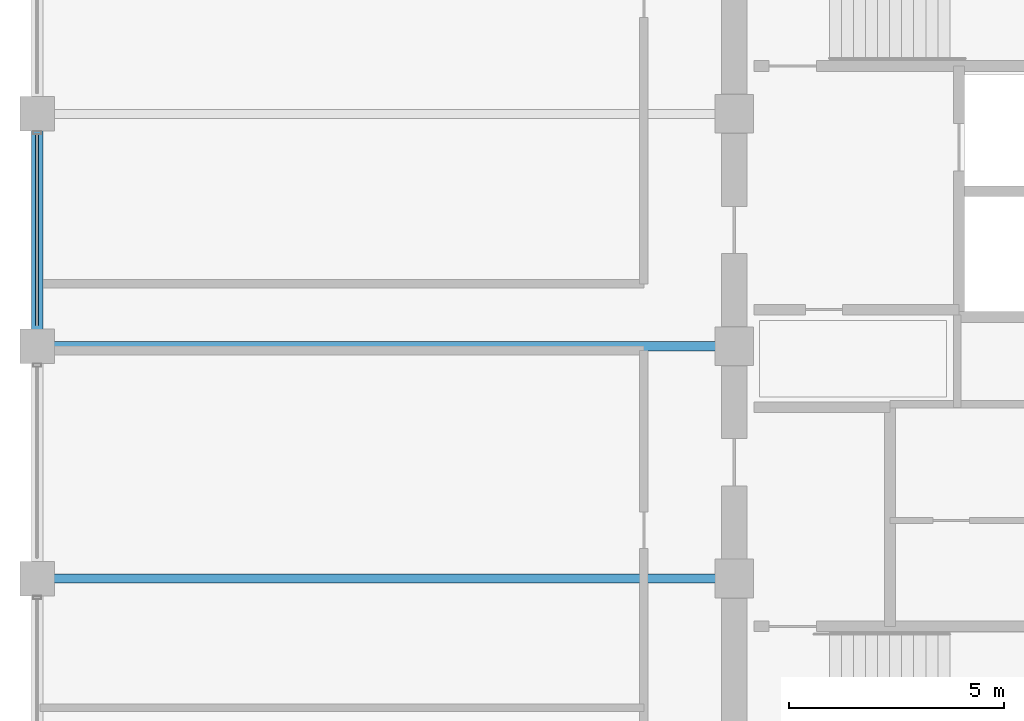
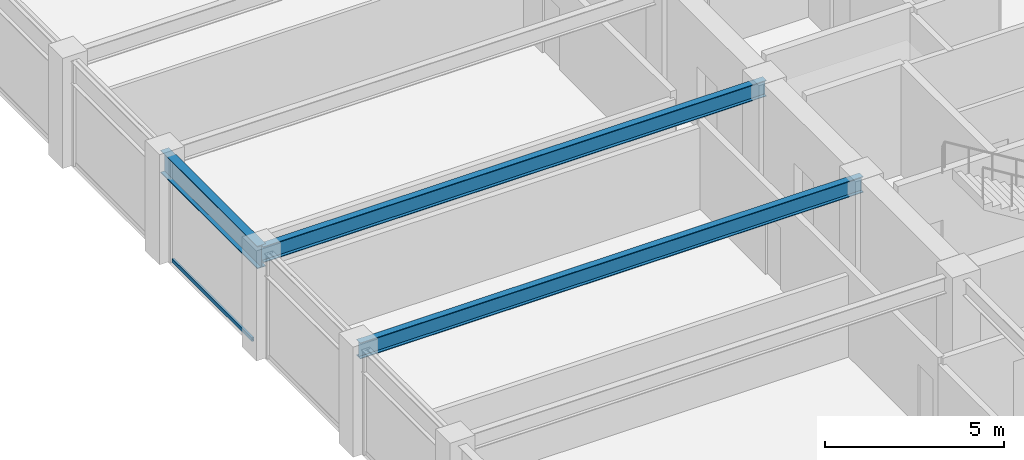
# One storey, part 9 of 32: 3 beams, 1 member, 1 element without a shape of its own.
"""IFC4 building model written with IfcOpenShell, lengths in metres."""

from ifc_helpers import new_model, si_unit, direction, frame, origin, origin_2d, place, context, subcontext, project, spatial, hollow_rectangle, i_section, extrude, material, layer, layer_set, material_profile, profile_set, type_object, element, aggregate, save


model = new_model("IFC4")

# Units and contexts
model_context = context("Model", 3, precision=1e-05, world=origin(), true_north=direction((0.0, 1.0)))
body_context = subcontext(model_context, "Body", "Model", "MODEL_VIEW")
ifc_project = project(units=[si_unit("LENGTHUNIT", "METRE"), si_unit("AREAUNIT", "SQUARE_METRE"), si_unit("VOLUMEUNIT", "CUBIC_METRE"), si_unit("PLANEANGLEUNIT", "RADIAN"), si_unit("MASSUNIT", "GRAM", prefix="KILO")], contexts=[model_context])

# Site, building, storey
site_placement = place(None, origin())
site = spatial("IfcSite", under=ifc_project, at=site_placement, CompositionType="ELEMENT")
building_placement = place(site_placement, origin())
building = spatial("IfcBuilding", under=site, at=building_placement, Name="Surkhivell Harbour Commons", CompositionType="ELEMENT")
storey_placement = place(building_placement, frame((0.0, 0.0, 223.5)))
storey = spatial("IfcBuildingStorey", under=building, at=storey_placement, Name="L58", CompositionType="ELEMENT", Elevation=223.5)

# Beams
ifc_material_1 = material(Name="Steel S355", Category="steel")
ifc_material_profile_1 = material_profile(ifc_material_1, i_section(OverallWidth=0.2119140625, OverallDepth=0.5439453125, WebThickness=0.0126953125, FlangeThickness=0.021240234375, at=origin_2d()), Name="UB533x210x122")
ifc_profile_set_1 = profile_set([ifc_material_profile_1], Name="Steel S355")
beam_type_1 = type_object("IfcBeamType", Name="BM-GRD-533A", PredefinedType="BEAM", material=ifc_profile_set_1)
for number, where, z_axis, x_axis, name in (
    (1, (-27.0, -5.39990234375, 3.298095703125), (1.0, 0.0, 0.0), (0.0, 1.0, 0.0), "L58 Floor Girder (-27.0,-5.4)"),
    (2, (-27.0, 0.0, 3.298095703125), (1.0, 0.0, 0.0), (0.0, 1.0, 0.0), "L58 Floor Girder (-27.0,0.0)"),
):
    element("IfcBeam", number, at=place(storey_placement, frame(where, z_axis=z_axis, x_axis=x_axis)), inside=storey, type_object=beam_type_1, Name=name, PredefinedType="BEAM", context=body_context, shape_type="SweptSolid", body=[
        extrude(i_section(OverallWidth=0.2119140625, OverallDepth=0.5439453125, WebThickness=0.0126953125, FlangeThickness=0.021240234375, at=origin_2d()), origin(), (0.0, 0.0, 1.0), 16.199951171875),
    ])
ifc_material_profile_2 = material_profile(ifc_material_1, i_section(OverallWidth=0.26806640625, OverallDepth=0.77001953125, WebThickness=0.015625, FlangeThickness=0.025390625, at=origin_2d()), Name="UB762x267x197")
ifc_profile_set_2 = profile_set([ifc_material_profile_2], Name="Steel S355")
beam_type_2 = type_object("IfcBeamType", Name="BM-SPN-762", PredefinedType="SPANDREL", material=ifc_profile_set_2)
beam_placement = place(storey_placement, frame((-27.0, 0.0, 3.18505859375), z_axis=(0.0, 1.0, 0.0), x_axis=(-1.0, 0.0, 0.0)))
element("IfcBeam", 3, at=beam_placement, inside=storey, type_object=beam_type_2, Name="L58 Tube Spandrel (-27.0,0.0)", PredefinedType="SPANDREL", context=body_context, shape_type="SweptSolid", body=[
    extrude(i_section(OverallWidth=0.26806640625, OverallDepth=0.77001953125, WebThickness=0.015625, FlangeThickness=0.025390625, at=origin_2d()), origin(), (0.0, 0.0, 1.0), 5.39990234375),
])

# Curtain wall, member
ifc_material_2 = material(Name="Anodised pale-metal aluminium and insulated glazing", Category="aluminium")
ifc_layer = layer(ifc_material_2, 0.18994140625)
ifc_layer_set = layer_set([ifc_layer], Name="Anodised pale-metal aluminium and insulated glazing")
curtain_wall_type = type_object("IfcCurtainWallType", Name="CW-SYS-Z3", PredefinedType="NOTDEFINED", material=ifc_layer_set)
curtain_wall_placement = place(storey_placement, origin())
curtain_wall = element("IfcCurtainWall", 4, at=curtain_wall_placement, inside=storey, type_object=curtain_wall_type, Name="L58 Curtain Wall CW-L58-E12S1", PredefinedType="NOTDEFINED")
ifc_material_3 = material(Name="Champagne anodised aluminium alloy 6063-T6", Category="aluminium")
ifc_material_profile_3 = material_profile(ifc_material_3, hollow_rectangle(XDim=0.070068359375, YDim=0.1298828125, WallThickness=0.00341796875, at=origin_2d()), Name="ALU-TRAN-70x130")
ifc_profile_set_3 = profile_set([ifc_material_profile_3], Name="Champagne anodised aluminium alloy 6063-T6")
member_type = type_object("IfcMemberType", Name="CWT-130", PredefinedType="USERDEFINED", material=ifc_profile_set_3)
member_placement = place(storey_placement, frame((-27.0, 4.923095703125, 0.06494140625), z_axis=(0.0, -1.0, 0.0), x_axis=(1.0, 0.0, 0.0)))
member = element("IfcMember", 5, at=member_placement, type_object=member_type, Name="CW-Z3 transom 4.1", ObjectType="TRANSOM", PredefinedType="USERDEFINED", context=body_context, shape_type="SweptSolid", body=[
    extrude(hollow_rectangle(XDim=0.070068359375, YDim=0.1298828125, WallThickness=0.00341796875, at=origin_2d()), origin(), (0.0, 0.0, 1.0), 4.446044921875),
])
aggregate(curtain_wall, [member])

save(model, "model.ifc")
